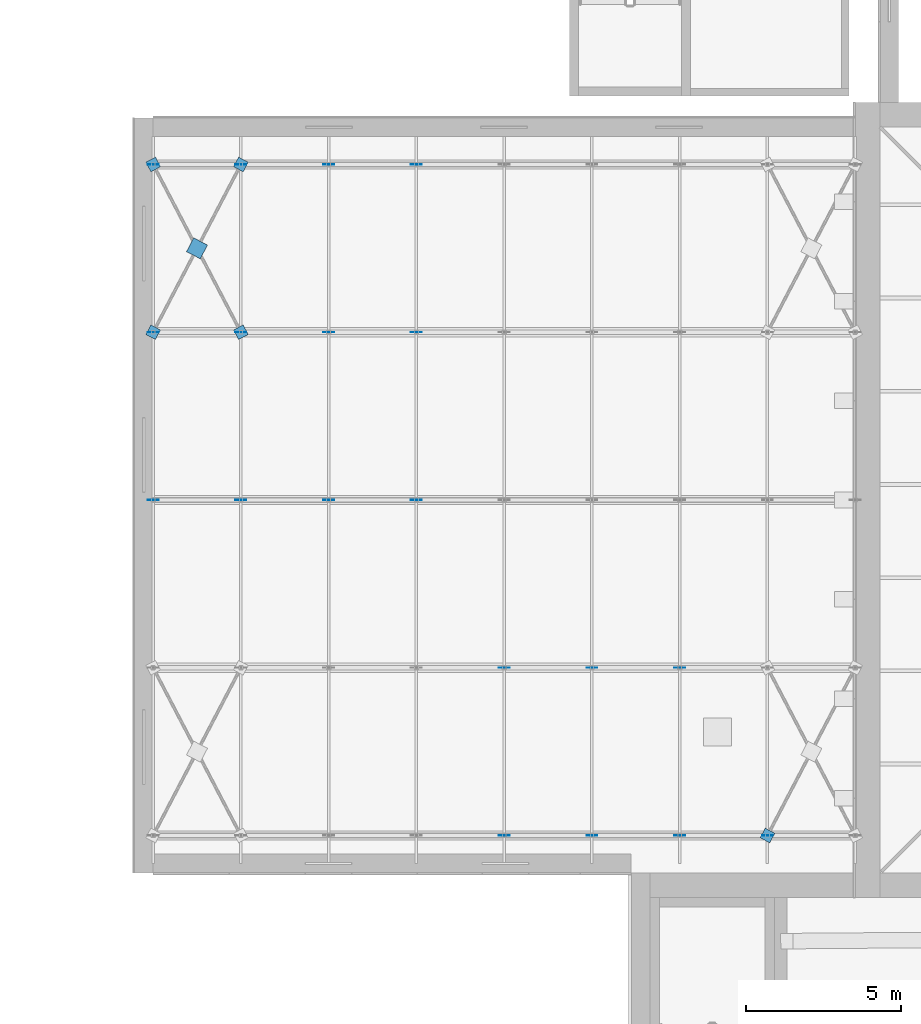
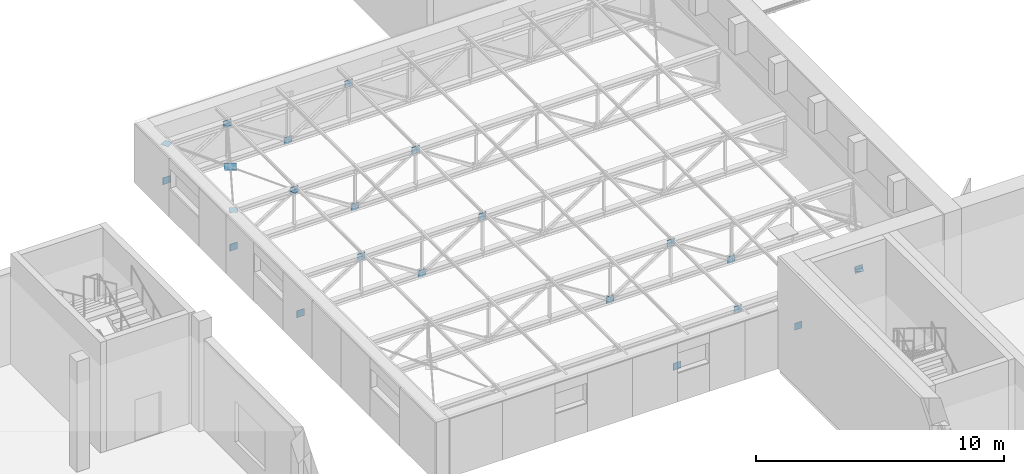
# One storey, part 93 of 132: 25 discrete accessories.
"""IFC4 building model written with IfcOpenShell, lengths in metres."""

import ifcopenshell
import ifcopenshell.guid

model = None  # the IFC model being written
_history = None  # IfcOwnerHistory: only IFC2X3 demands one
_inside = {}  # id of a spatial element -> (the spatial element, [elements in it])
_under = {}  # id of a project, library or spatial element -> (it, [spatial elements below it])
_declared = {}  # id of a project -> (the project, [libraries it declares])
_typed = {}  # id of a type object -> (the type object, [elements of that type])
_made_of = {}  # id of a material, layer set ... -> (it, [elements and type objects made of it])


def new_model(schema):
    """Start an empty IFC model of exactly this schema.

    Asked for "IFC4X3", IfcOpenShell would pick the latest addendum, in which some entities
    have other attributes; the version numbers below select the first issue.
    IFC2X3 requires an IfcOwnerHistory on every rooted entity: one is made here for all.
    """
    global model, _history
    if schema == "IFC4X3":
        model = ifcopenshell.file(schema_version=(4, 3, 0, 0))
    else:
        model = ifcopenshell.file(schema=schema)
    _inside.clear()
    _under.clear()
    _declared.clear()
    _typed.clear()
    _made_of.clear()
    _history = None
    if model.schema == "IFC2X3":
        org = make("IfcOrganization", Name="unknown")
        user = make(
            "IfcPersonAndOrganization",
            ThePerson=make("IfcPerson", FamilyName="unknown"),
            TheOrganization=org,
        )
        app = make(
            "IfcApplication",
            ApplicationDeveloper=org,
            Version="unknown",
            ApplicationFullName="unknown",
            ApplicationIdentifier="unknown",
        )
        _history = make(
            "IfcOwnerHistory",
            OwningUser=user,
            OwningApplication=app,
            ChangeAction="ADDED",
            CreationDate=0,
        )
    return model


def make(cls, **values):
    """One entity of the class cls with the attributes given. An attribute that is None is left unset."""
    return model.create_entity(
        cls, **{name: value for name, value in values.items() if value is not None}
    )


def rooted(cls, **values):
    """An entity with a GlobalId (a new one), such as an element, a storey or a relation."""
    return make(cls, GlobalId=ifcopenshell.guid.new(), OwnerHistory=_history, **values)


def si_unit(unit_type, name, prefix=None):
    """IfcSIUnit, for example si_unit("LENGTHUNIT", "METRE", prefix="MILLI")."""
    return make("IfcSIUnit", UnitType=unit_type, Prefix=prefix, Name=name)


def assignment(units):
    """IfcUnitAssignment: the units of a project."""
    return None if units is None else make("IfcUnitAssignment", Units=units)


def point(xyz):
    """IfcCartesianPoint."""
    return None if xyz is None else make("IfcCartesianPoint", Coordinates=xyz)


def direction(xyz):
    """IfcDirection."""
    return None if xyz is None else make("IfcDirection", DirectionRatios=xyz)


def frame(location, z_axis=None, x_axis=None):
    """IfcAxis2Placement3D, a coordinate frame: its origin and axes. An axis left out is left unset."""
    return make(
        "IfcAxis2Placement3D",
        Location=point(location),
        Axis=direction(z_axis),
        RefDirection=direction(x_axis),
    )


def frame_2d(location, x_axis=None):
    """IfcAxis2Placement2D, a coordinate frame in the plane: its origin and x axis."""
    return make(
        "IfcAxis2Placement2D", Location=point(location), RefDirection=direction(x_axis)
    )


def origin():
    """The frame at (0, 0, 0) with its axes left unset."""
    return frame((0.0, 0.0, 0.0))


def origin_2d():
    """The frame at (0, 0) in the plane with its x axis left unset."""
    return frame_2d((0.0, 0.0))


def place(relative_to, where):
    """IfcLocalPlacement: puts the frame where relative to a parent placement (None: the world)."""
    return make(
        "IfcLocalPlacement", PlacementRelTo=relative_to, RelativePlacement=where
    )


def context(
    kind, dimensions, precision=None, world=None, true_north=None, identifier=None
):
    """IfcGeometricRepresentationContext, for example the 3D "Model" context."""
    return make(
        "IfcGeometricRepresentationContext",
        ContextIdentifier=identifier,
        ContextType=kind,
        CoordinateSpaceDimension=dimensions,
        Precision=precision,
        WorldCoordinateSystem=world,
        TrueNorth=true_north,
    )


def subcontext(parent, identifier, kind, view, scale=None):
    """IfcGeometricRepresentationSubContext, for example "Body" below "Model"."""
    return make(
        "IfcGeometricRepresentationSubContext",
        ContextIdentifier=identifier,
        ContextType=kind,
        ParentContext=parent,
        TargetScale=scale,
        TargetView=view,
    )


def project(units=None, contexts=None):
    """IfcProject with its units and contexts."""
    return rooted(
        "IfcProject",
        Name="project",
        RepresentationContexts=contexts,
        UnitsInContext=assignment(units),
    )


def spatial(cls, under=None, at=None, **own):
    """A site, building, storey or space (cls), placed at a placement, below another one or the project."""
    s = rooted(cls, ObjectPlacement=at, **own)
    if under is not None:
        _under.setdefault(under.id(), (under, []))[1].append(s)
    return s


def profile(cls, at=None, kind="AREA", **sizes):
    """A parametric profile (cls). Its sizes go by their IFC names, for example OverallWidth=200.0."""
    return make(cls, ProfileType=kind, Position=at, **sizes)


def rectangle(**sizes):
    """IfcRectangleProfileDef."""
    return profile("IfcRectangleProfileDef", **sizes)


def extrude(swept, where, along, depth):
    """IfcExtrudedAreaSolid: the profile swept, set in the frame where, extruded along a direction by depth."""
    return make(
        "IfcExtrudedAreaSolid",
        SweptArea=swept,
        Position=where,
        ExtrudedDirection=direction(along),
        Depth=depth,
    )


def shape(context_of_items, identifier, shape_type, items):
    """IfcShapeRepresentation: the items that make up one representation, for example the "Body"."""
    return make(
        "IfcShapeRepresentation",
        ContextOfItems=context_of_items,
        RepresentationIdentifier=identifier,
        RepresentationType=shape_type,
        Items=items,
    )


def material(Name=None, Category=None):
    """IfcMaterial."""
    return make("IfcMaterial", Name=Name, Category=Category)


def layer(
    of_material, thickness, ventilated=None, Name=None, Category=None, Priority=None
):
    """IfcMaterialLayer: one layer of a wall or slab, of a material (None: an air gap)."""
    return make(
        "IfcMaterialLayer",
        Material=of_material,
        LayerThickness=thickness,
        IsVentilated=ventilated,
        Name=Name,
        Category=Category,
        Priority=Priority,
    )


def layer_set(layers, Name=None):
    """IfcMaterialLayerSet."""
    return make("IfcMaterialLayerSet", MaterialLayers=layers, LayerSetName=Name)


def made_of(thing, what):
    """Note that an element or type object is made of a material, layer set ...; save() writes the relation."""
    if what is not None:
        _made_of.setdefault(what.id(), (what, []))[1].append(thing)
    return thing


def type_object(cls, material=None, **own):
    """A type object (cls), such as IfcWallType, which elements share."""
    return made_of(rooted(cls, **own), material)


def element(
    cls,
    number,
    at=None,
    inside=None,
    cuts=None,
    type_object=None,
    material=None,
    context=None,
    identifier="Body",
    shape_type=None,
    held_by="IfcProductDefinitionShape",
    body=None,
    shapes=None,
    **own,
):
    """One element of the class cls, such as IfcWall. Its Tag is "e" and its number.

    at: its placement. inside: the storey or other place that contains it. cuts: it is an
    opening in that element (IfcRelVoidsElement). A single representation is given by context,
    identifier, shape_type and body (its items); several are given by shapes. held_by: the class
    of the entity that holds the representations. save() writes the other relations.
    """
    e = rooted(cls, Tag="e%d" % number, ObjectPlacement=at, **own)
    if body is not None:
        shapes = [shape(context, identifier, shape_type, body)]
    if shapes is not None:
        e.Representation = make(held_by, Representations=shapes)
    if inside is not None:
        _inside.setdefault(inside.id(), (inside, []))[1].append(e)
    if cuts is not None:
        rooted(
            "IfcRelVoidsElement", RelatingBuildingElement=cuts, RelatedOpeningElement=e
        )
    if type_object is not None:
        _typed.setdefault(type_object.id(), (type_object, []))[1].append(e)
    return made_of(e, material)


def aggregate(whole, parts):
    """IfcRelAggregates: a whole, such as a stair, and the parts it consists of."""
    return rooted("IfcRelAggregates", RelatingObject=whole, RelatedObjects=parts)


def save(model, path):
    """Write the relations noted so far, then the file.

    IfcRelAggregates (storeys below a building ...), IfcRelContainedInSpatialStructure (elements
    in a storey), IfcRelDefinesByType, IfcRelAssociatesMaterial and IfcRelDeclares: one each for
    every whole, place, type object, material and project.
    """
    for whole, parts in _under.values():
        aggregate(whole, parts)
    for where, things in _inside.values():
        rooted(
            "IfcRelContainedInSpatialStructure",
            RelatedElements=things,
            RelatingStructure=where,
        )
    for kind, things in _typed.values():
        rooted("IfcRelDefinesByType", RelatedObjects=things, RelatingType=kind)
    for what, things in _made_of.values():
        rooted("IfcRelAssociatesMaterial", RelatedObjects=things, RelatingMaterial=what)
    for by, libraries in _declared.values():
        rooted("IfcRelDeclares", RelatingContext=by, RelatedDefinitions=libraries)
    model.write(path)


model = new_model("IFC4")

# Units and contexts
model_context = context("Model", 3, precision=1e-05, world=origin(), true_north=direction((0.0, 1.0)))
body_context = subcontext(model_context, "Body", "Model", "MODEL_VIEW")
ifc_project = project(units=[si_unit("LENGTHUNIT", "METRE"), si_unit("AREAUNIT", "SQUARE_METRE"), si_unit("VOLUMEUNIT", "CUBIC_METRE"), si_unit("PLANEANGLEUNIT", "RADIAN"), si_unit("MASSUNIT", "GRAM", prefix="KILO")], contexts=[model_context])

# Site, building, storey
site_placement = place(None, origin())
site = spatial("IfcSite", under=ifc_project, at=site_placement, CompositionType="ELEMENT")
building_placement = place(site_placement, origin())
building = spatial("IfcBuilding", under=site, at=building_placement, Name="Lunette Opera House", CompositionType="ELEMENT")
storey_placement = place(building_placement, frame((0.0, 0.0, 17.0)))
storey = spatial("IfcBuildingStorey", under=building, at=storey_placement, Name="L03", CompositionType="ELEMENT", Elevation=17.0)

# Discrete accessories
ifc_material_1 = material(Name="Steel S355", Category="steel")
ifc_layer_1 = layer(ifc_material_1, 0.011962890625)
ifc_layer_set_1 = layer_set([ifc_layer_1], Name="Steel S355")
discrete_accessory_type_1 = type_object("IfcDiscreteAccessoryType", Name="BRACE GUSSET PLATE 12", PredefinedType="USERDEFINED", material=ifc_layer_set_1)
for number, where, z_axis, x_axis, name in (
    (1, (71.89990234375, 97.199951171875, 0.599853515625), (0.0, 0.0, 1.0), (1.0, 0.0, 0.0), "Gusset plate 50"),
    (2, (74.72509765625, 97.199951171875, 2.39990234375), (0.0, 0.0, 1.0), (1.0, 0.0, 0.0), "Gusset plate 51"),
    (3, (77.550048828125, 97.199951171875, 0.599853515625), (0.0, 0.0, 1.0), (1.0, 0.0, 0.0), "Gusset plate 52"),
    (4, (80.375, 97.199951171875, 2.39990234375), (0.0, 0.0, 1.0), (1.0, 0.0, 0.0), "Gusset plate 53"),
    (5, (71.89990234375, 102.60009765625, 0.599853515625), (0.0, 0.0, 1.0), (1.0, 0.0, 0.0), "Gusset plate 59"),
    (6, (74.72509765625, 102.60009765625, 2.39990234375), (0.0, 0.0, 1.0), (1.0, 0.0, 0.0), "Gusset plate 60"),
    (7, (77.550048828125, 102.60009765625, 0.599853515625), (0.0, 0.0, 1.0), (1.0, 0.0, 0.0), "Gusset plate 61"),
    (8, (60.60009765625, 108.0, 0.599853515625), (0.0, 0.0, 1.0), (1.0, 0.0, 0.0), "Gusset plate 64"),
    (9, (63.425048828125, 108.0, 2.39990234375), (0.0, 0.0, 1.0), (1.0, 0.0, 0.0), "Gusset plate 65"),
    (10, (66.25, 108.0, 0.599853515625), (0.0, 0.0, 1.0), (1.0, 0.0, 0.0), "Gusset plate 66"),
    (11, (69.074951171875, 108.0, 2.39990234375), (0.0, 0.0, 1.0), (1.0, 0.0, 0.0), "Gusset plate 67"),
    (12, (60.60009765625, 113.39990234375, 0.599853515625), (0.0, 0.0, 1.0), (1.0, 0.0, 0.0), "Gusset plate 73"),
    (13, (63.425048828125, 113.39990234375, 2.39990234375), (0.0, 0.0, 1.0), (1.0, 0.0, 0.0), "Gusset plate 74"),
    (14, (66.25, 113.39990234375, 0.599853515625), (0.0, 0.0, 1.0), (1.0, 0.0, 0.0), "Gusset plate 75"),
    (15, (69.074951171875, 113.39990234375, 2.39990234375), (0.0, 0.0, 1.0), (1.0, 0.0, 0.0), "Gusset plate 76"),
    (16, (60.60009765625, 118.800048828125, 0.599853515625), (0.0, 0.0, 1.0), (1.0, 0.0, 0.0), "Gusset plate 82"),
    (17, (63.425048828125, 118.800048828125, 2.39990234375), (0.0, 0.0, 1.0), (1.0, 0.0, 0.0), "Gusset plate 83"),
    (18, (66.25, 118.800048828125, 0.599853515625), (0.0, 0.0, 1.0), (1.0, 0.0, 0.0), "Gusset plate 84"),
    (19, (69.074951171875, 118.800048828125, 2.39990234375), (0.0, 0.0, 1.0), (1.0, 0.0, 0.0), "Gusset plate 85"),
):
    element("IfcDiscreteAccessory", number, at=place(storey_placement, frame(where, z_axis=z_axis, x_axis=x_axis)), inside=storey, type_object=discrete_accessory_type_1, Name=name, ObjectType="GUSSET PLATE", PredefinedType="USERDEFINED", context=body_context, shape_type="SweptSolid", body=[
        extrude(rectangle(XDim=0.35009765625, YDim=0.011962890625, at=origin_2d()), origin(), (0.0, 0.0, 1.0), 0.35009765625),
    ])
for number, where, z_axis, x_axis, name in (
    (20, (80.375, 97.199951171875, 2.56884765625), (0.0, 0.0, 1.0), (0.463546584757, 0.886072549942, 0.0), "Gusset plate 93"),
    (21, (60.60009765625, 113.39990234375, 2.56884765625), (0.0, 0.0, 1.0), (0.463546584757, 0.886072549942, 0.0), "Gusset plate 95"),
    (22, (63.425048828125, 118.800048828125, 2.56884765625), (0.0, 0.0, 1.0), (0.463546584757, 0.886072549942, 0.0), "Gusset plate 96"),
    (23, (63.425048828125, 113.39990234375, 2.56884765625), (0.0, 0.0, 1.0), (-0.463676484795, 0.886004580941, 0.0), "Gusset plate 334"),
    (24, (60.60009765625, 118.800048828125, 2.56884765625), (0.0, 0.0, 1.0), (-0.463418221361, 0.886139691082, 0.0), "Gusset plate 335"),
):
    element("IfcDiscreteAccessory", number, at=place(storey_placement, frame(where, z_axis=z_axis, x_axis=x_axis)), inside=storey, type_object=discrete_accessory_type_1, Name=name, ObjectType="GUSSET PLATE", PredefinedType="USERDEFINED", context=body_context, shape_type="SweptSolid", body=[
        extrude(rectangle(XDim=0.35009765625, YDim=0.35009765625, at=origin_2d()), origin(), (0.0, 0.0, 1.0), 0.011962890625),
    ])
ifc_material_2 = material(Name="Steel S355", Category="steel")
ifc_layer_2 = layer(ifc_material_2, 0.01611328125)
ifc_layer_set_2 = layer_set([ifc_layer_2], Name="Steel S355")
discrete_accessory_type_2 = type_object("IfcDiscreteAccessoryType", Name="X-BRACE NODE PLATE 16", PredefinedType="USERDEFINED", material=ifc_layer_set_2)
discrete_accessory_placement = place(storey_placement, frame((62.011962890625, 116.10009765625, 2.56689453125), z_axis=(0.0, 0.0, 1.0), x_axis=(0.463546584757, 0.886072549942, 0.0)))
element("IfcDiscreteAccessory", 25, at=discrete_accessory_placement, inside=storey, type_object=discrete_accessory_type_2, Name="X-brace node plate 3", ObjectType="NODE PLATE", PredefinedType="USERDEFINED", context=body_context, shape_type="SweptSolid", body=[
    extrude(rectangle(XDim=0.5, YDim=0.5, at=origin_2d()), origin(), (0.0, 0.0, 1.0), 0.01611328125),
])

save(model, "model.ifc")
